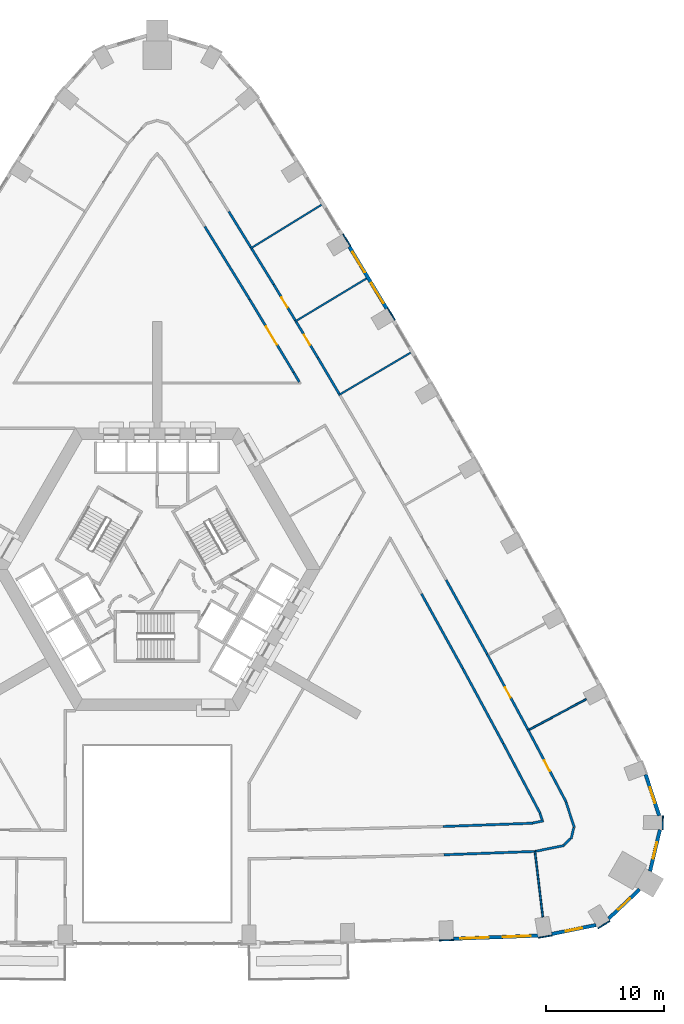
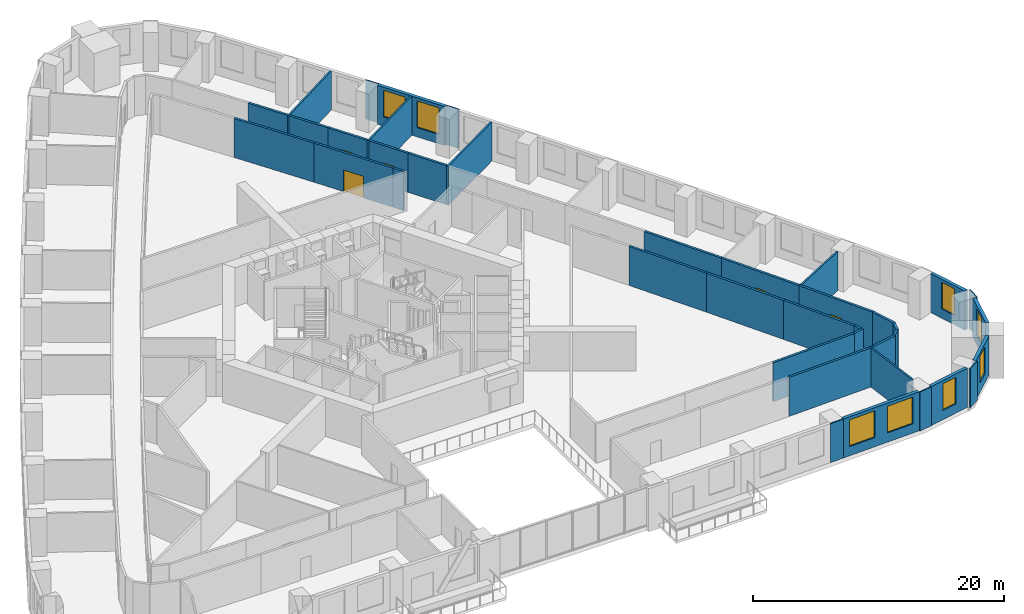
# One storey, part 10 of 14: 39 walls, 8 windows, 5 doors, 13 openings.
"""IFC4 building model written with IfcOpenShell, lengths in metres."""

from ifc_helpers import new_model, si_unit, direction, frame, frame_2d, origin, place, context, subcontext, project, spatial, rectangle, extrude, material, layer, layer_set, type_object, element, fill, save


model = new_model("IFC4")

# Units and contexts
model_context = context("Model", 3, precision=1e-05, world=origin(), true_north=direction((0.0, 1.0)))
body_context = subcontext(model_context, "Body", "Model", "MODEL_VIEW")
ifc_project = project(units=[si_unit("LENGTHUNIT", "METRE"), si_unit("AREAUNIT", "SQUARE_METRE"), si_unit("VOLUMEUNIT", "CUBIC_METRE"), si_unit("PLANEANGLEUNIT", "RADIAN"), si_unit("MASSUNIT", "GRAM", prefix="KILO")], contexts=[model_context])

# Site, building, storey
site_placement = place(None, origin())
site = spatial("IfcSite", under=ifc_project, at=site_placement, CompositionType="ELEMENT")
building_placement = place(site_placement, origin())
building = spatial("IfcBuilding", under=site, at=building_placement, Name="Entoto Arch Interchange Tower", CompositionType="ELEMENT")
storey_placement = place(building_placement, frame((0.0, 0.0, 64.39990234375)))
storey = spatial("IfcBuildingStorey", under=building, at=storey_placement, Name="L13", CompositionType="ELEMENT", Elevation=64.39990234375)

# Walls
ifc_material_1 = material(Name="Gypsum board partition on steel studs", Category="steel")
ifc_layer_1 = layer(ifc_material_1, 0.14990234375)
ifc_layer_set_1 = layer_set([ifc_layer_1], Name="Gypsum board partition on steel studs")
wall_type_1 = type_object("IfcWallType", Name="PARTITION 150", PredefinedType="PARTITIONING", material=ifc_layer_set_1)
wall_1_placement = place(storey_placement, frame((32.041015625, -21.431884765625, 0.0), z_axis=(0.0, 0.0, 1.0), x_axis=(0.118848018273, -0.992912457648, 0.0)))
element("IfcWall", 1, at=wall_1_placement, inside=storey, type_object=wall_type_1, Name="wall:L13:p134", PredefinedType="PARTITIONING", context=body_context, shape_type="SweptSolid", body=[
    extrude(rectangle(XDim=5.60400390625, YDim=0.14990234375, at=frame_2d((2.802001953125, 0.0))), origin(), (0.0, 0.0, 1.0), 3.800048828125),
])
wall_2_placement = place(storey_placement, frame((31.56103515625, -11.10302734375, 0.0), z_axis=(0.0, 0.0, 1.0), x_axis=(0.882056805494, 0.47114306944, 0.0)))
element("IfcWall", 2, at=wall_2_placement, inside=storey, type_object=wall_type_1, Name="wall:L13:p135", PredefinedType="PARTITIONING", context=body_context, shape_type="SweptSolid", body=[
    extrude(rectangle(XDim=5.48046875, YDim=0.14990234375, at=frame_2d((2.740234375, 0.0))), origin(), (0.0, 0.0, 1.0), 3.800048828125),
])
wall_3_placement = place(storey_placement, frame((15.387939453125, 17.260986328125, 0.0), z_axis=(0.0, 0.0, 1.0), x_axis=(0.861189945173, 0.50828326584, 0.0)))
element("IfcWall", 3, at=wall_3_placement, inside=storey, type_object=wall_type_1, Name="wall:L13:p138", PredefinedType="PARTITIONING", context=body_context, shape_type="SweptSolid", body=[
    extrude(rectangle(XDim=7.1005859375, YDim=0.14990234375, at=frame_2d((3.55029296875, 0.0))), origin(), (0.0, 0.0, 1.0), 3.800048828125),
])
wall_4_placement = place(storey_placement, frame((11.672119140625, 23.492919921875, 0.0), z_axis=(0.0, 0.0, 1.0), x_axis=(0.856462653555, 0.516208991656, 0.0)))
element("IfcWall", 4, at=wall_4_placement, inside=storey, type_object=wall_type_1, Name="wall:L13:p139", PredefinedType="PARTITIONING", context=body_context, shape_type="SweptSolid", body=[
    extrude(rectangle(XDim=7.099853515625, YDim=0.14990234375, at=frame_2d((3.5498046875, 0.0))), origin(), (0.0, 0.0, 1.0), 3.800048828125),
])
wall_5_placement = place(storey_placement, frame((7.89697265625, 29.68994140625, 0.0), z_axis=(0.0, 0.0, 1.0), x_axis=(0.851604009471, 0.524185664677, 0.0)))
element("IfcWall", 5, at=wall_5_placement, inside=storey, type_object=wall_type_1, Name="wall:L13:p140", PredefinedType="PARTITIONING", context=body_context, shape_type="SweptSolid", body=[
    extrude(rectangle(XDim=7.100830078125, YDim=0.14990234375, at=frame_2d((3.55029296875, 0.0))), origin(), (0.0, 0.0, 1.0), 3.800048828125),
])
ifc_layer_2 = layer(ifc_material_1, 0.199951171875)
ifc_layer_set_2 = layer_set([ifc_layer_2], Name="Gypsum board partition on steel studs")
wall_type_2 = type_object("IfcWallType", Name="PARTITION 200", PredefinedType="PARTITIONING", material=ifc_layer_set_2)
wall_6_placement = place(storey_placement, frame((12.053955078125, 18.385986328125, 0.0), z_axis=(0.0, 0.0, 1.0), x_axis=(-0.508048285953, 0.861328589529, 0.0)))
element("IfcWall", 6, at=wall_6_placement, inside=storey, type_object=wall_type_2, Name="wall:L13:p008", PredefinedType="PARTITIONING", context=body_context, shape_type="SweptSolid", body=[
    extrude(rectangle(XDim=0.954345703125, YDim=0.199951171875, at=frame_2d((0.47705078125, 0.0))), origin(), (0.0, 0.0, 1.0), 3.800048828125),
])

# Wall, opening, door
wall_7_placement = place(storey_placement, frame((11.569091796875, 19.2080078125, 0.0), z_axis=(0.0, 0.0, 1.0), x_axis=(-0.516172233954, 0.85648480716, 0.0)))
wall_7 = element("IfcWall", 7, at=wall_7_placement, inside=storey, type_object=wall_type_2, Name="wall:L13:p009", PredefinedType="PARTITIONING", context=body_context, shape_type="SweptSolid", body=[
    extrude(rectangle(XDim=7.234375, YDim=0.199951171875, at=frame_2d((3.6171875, 0.0))), origin(), (0.0, 0.0, 1.0), 3.800048828125),
])
opening_1_placement = place(wall_7_placement, frame((2.717041015625, 0.0, 0.0)))
opening_1 = element("IfcOpeningElement", 8, at=opening_1_placement, cuts=wall_7, Name="Opening L13-D20", PredefinedType="OPENING", context=body_context, shape_type="SweptSolid", body=[
    extrude(rectangle(XDim=1.800048828125, YDim=2.10009765625, at=frame_2d((0.89990234375, 1.050048828125))), frame((0.0, 0.10986328125, 0.0), z_axis=(0.0, -1.0, 0.0), x_axis=(1.0, 0.0, 0.0)), (0.0, 0.0, 1.0), 0.219970703125),
])
ifc_material_2 = material(Name="Timber door leaf in Steel S235 frame", Category="steel")
door_type_1 = type_object("IfcDoorType", Name="DOOR DD-18 1800x2100", OperationType="DOUBLE_DOOR_SINGLE_SWING", PredefinedType="DOOR", material=ifc_material_2)
door_1_placement = place(opening_1_placement, origin())
door_1 = element("IfcDoor", 9, at=door_1_placement, inside=storey, type_object=door_type_1, Name="door:L13:20", OperationType="DOUBLE_DOOR_SINGLE_SWING", OverallHeight=2.10009765625, OverallWidth=1.800048828125, PredefinedType="DOOR", context=body_context, shape_type="SweptSolid", body=[
    extrude(rectangle(XDim=1.800048828125, YDim=2.10009765625, at=frame_2d((0.89990234375, 1.050048828125))), frame((0.0, 0.02490234375, 0.0), z_axis=(0.0, -1.0, 0.0), x_axis=(1.0, 0.0, 0.0)), (0.0, 0.0, 1.0), 0.050048828125),
])
fill(opening_1, door_1)

# Walls
wall_8_placement = place(storey_placement, frame((7.8349609375, 25.404052734375, 0.0), z_axis=(0.0, 0.0, 1.0), x_axis=(-0.524225471951, 0.851579505717, 0.0)))
element("IfcWall", 10, at=wall_8_placement, inside=storey, type_object=wall_type_2, Name="wall:L13:p010", PredefinedType="PARTITIONING", context=body_context, shape_type="SweptSolid", body=[
    extrude(rectangle(XDim=7.2333984375, YDim=0.199951171875, at=frame_2d((3.61669921875, 0.0))), origin(), (0.0, 0.0, 1.0), 3.800048828125),
])
wall_9_placement = place(storey_placement, frame((24.235107421875, -19.318115234375, 0.0), z_axis=(0.0, 0.0, 1.0), x_axis=(0.999320698485, 0.036852972476, 0.0)))
element("IfcWall", 11, at=wall_9_placement, inside=storey, type_object=wall_type_2, Name="wall:L13:p020", PredefinedType="PARTITIONING", context=body_context, shape_type="SweptSolid", body=[
    extrude(rectangle(XDim=7.625, YDim=0.199951171875, at=frame_2d((3.8125, 0.0))), origin(), (0.0, 0.0, 1.0), 3.800048828125),
])
wall_10_placement = place(storey_placement, frame((31.85302734375, -19.02099609375, 0.0), z_axis=(0.0, 0.0, 1.0), x_axis=(0.979793671436, 0.200010903236, 0.0)))
element("IfcWall", 12, at=wall_10_placement, inside=storey, type_object=wall_type_2, Name="wall:L13:p021", PredefinedType="PARTITIONING", context=body_context, shape_type="SweptSolid", body=[
    extrude(rectangle(XDim=0.93994140625, YDim=0.199951171875, at=frame_2d((0.469970703125, 0.0))), origin(), (0.0, 0.0, 1.0), 3.800048828125),
])
wall_11_placement = place(storey_placement, frame((32.64501953125, -18.758056640625, 0.0), z_axis=(0.0, 0.0, 1.0), x_axis=(-0.311683867653, 0.950185859001, 0.0)))
element("IfcWall", 13, at=wall_11_placement, inside=storey, type_object=wall_type_2, Name="wall:L13:p022", PredefinedType="PARTITIONING", context=body_context, shape_type="SweptSolid", body=[
    extrude(rectangle(XDim=0.596923828125, YDim=0.199951171875, at=frame_2d((0.29833984375, 0.0))), origin(), (0.0, 0.0, 1.0), 3.800048828125),
])
wall_12_placement = place(storey_placement, frame((32.47509765625, -18.18505859375, 0.0), z_axis=(0.0, 0.0, 1.0), x_axis=(-0.467123190417, 0.884192244353, 0.0)))
element("IfcWall", 14, at=wall_12_placement, inside=storey, type_object=wall_type_2, Name="wall:L13:p023", PredefinedType="PARTITIONING", context=body_context, shape_type="SweptSolid", body=[
    extrude(rectangle(XDim=6.67724609375, YDim=0.199951171875, at=frame_2d((3.338623046875, 0.0))), origin(), (0.0, 0.0, 1.0), 3.800048828125),
])
wall_13_placement = place(storey_placement, frame((29.35595703125, -12.281005859375, 0.0), z_axis=(0.0, 0.0, 1.0), x_axis=(-0.475244544503, 0.87985375087, 0.0)))
element("IfcWall", 15, at=wall_13_placement, inside=storey, type_object=wall_type_2, Name="wall:L13:p024", PredefinedType="PARTITIONING", context=body_context, shape_type="SweptSolid", body=[
    extrude(rectangle(XDim=7.234130859375, YDim=0.199951171875, at=frame_2d((3.6171875, 0.0))), origin(), (0.0, 0.0, 1.0), 3.800048828125),
])
wall_14_placement = place(storey_placement, frame((25.91796875, -5.916015625, 0.0), z_axis=(0.0, 0.0, 1.0), x_axis=(-0.483612623402, 0.875282143361, 0.0)))
element("IfcWall", 16, at=wall_14_placement, inside=storey, type_object=wall_type_2, Name="wall:L13:p025", PredefinedType="PARTITIONING", context=body_context, shape_type="SweptSolid", body=[
    extrude(rectangle(XDim=7.233154296875, YDim=0.199951171875, at=frame_2d((3.61669921875, 0.0))), origin(), (0.0, 0.0, 1.0), 3.800048828125),
])
wall_15_placement = place(storey_placement, frame((32.14111328125, -21.427978515625, 0.0), z_axis=(0.0, 0.0, 1.0), x_axis=(-0.999324021202, -0.036762761723, 0.0)))
element("IfcWall", 17, at=wall_15_placement, inside=storey, type_object=wall_type_2, Name="wall:L13:p043", PredefinedType="PARTITIONING", context=body_context, shape_type="SweptSolid", body=[
    extrude(rectangle(XDim=7.83642578125, YDim=0.199951171875, at=frame_2d((3.918212890625, 0.0))), origin(), (0.0, 0.0, 1.0), 3.800048828125),
])

# Wall, opening, door
wall_16_placement = place(storey_placement, frame((31.43798828125, -11.0830078125, 0.0), z_axis=(0.0, 0.0, 1.0), x_axis=(0.467077609314, -0.884216323575, 0.0)))
wall_16 = element("IfcWall", 18, at=wall_16_placement, inside=storey, type_object=wall_type_2, Name="wall:L13:p046", PredefinedType="PARTITIONING", context=body_context, shape_type="SweptSolid", body=[
    extrude(rectangle(XDim=6.966552734375, YDim=0.199951171875, at=frame_2d((3.4833984375, 0.0))), origin(), (0.0, 0.0, 1.0), 3.800048828125),
])
opening_2_placement = place(wall_16_placement, frame((2.98291015625, 0.0, 0.0)))
opening_2 = element("IfcOpeningElement", 19, at=opening_2_placement, cuts=wall_16, Name="Opening L13-D02", PredefinedType="OPENING", context=body_context, shape_type="SweptSolid", body=[
    extrude(rectangle(XDim=1.0, YDim=2.10009765625, at=frame_2d((0.5, 1.050048828125))), frame((0.0, 0.10986328125, 0.0), z_axis=(0.0, -1.0, 0.0), x_axis=(1.0, 0.0, 0.0)), (0.0, 0.0, 1.0), 0.219970703125),
])
door_type_2 = type_object("IfcDoorType", Name="DOOR DS-10 1000x2100", OperationType="SINGLE_SWING_LEFT", PredefinedType="DOOR", material=ifc_material_2)
door_2_placement = place(opening_2_placement, origin())
door_2 = element("IfcDoor", 20, at=door_2_placement, inside=storey, type_object=door_type_2, Name="door:L13:02", OperationType="SINGLE_SWING_LEFT", OverallHeight=2.10009765625, OverallWidth=1.0, PredefinedType="DOOR", context=body_context, shape_type="SweptSolid", body=[
    extrude(rectangle(XDim=1.0, YDim=2.10009765625, at=frame_2d((0.5, 1.050048828125))), frame((0.0, 0.02490234375, 0.0), z_axis=(0.0, -1.0, 0.0), x_axis=(1.0, 0.0, 0.0)), (0.0, 0.0, 1.0), 0.050048828125),
])
fill(opening_2, door_2)

# Walls
wall_17_placement = place(storey_placement, frame((34.676025390625, -17.25, 0.0), z_axis=(0.0, 0.0, 1.0), x_axis=(0.311855014756, -0.950129701552, 0.0)))
element("IfcWall", 21, at=wall_17_placement, inside=storey, type_object=wall_type_2, Name="wall:L13:p047", PredefinedType="PARTITIONING", context=body_context, shape_type="SweptSolid", body=[
    extrude(rectangle(XDim=2.27978515625, YDim=0.199951171875, at=frame_2d((1.139892578125, 0.0))), origin(), (0.0, 0.0, 1.0), 3.800048828125),
])
wall_18_placement = place(storey_placement, frame((35.3330078125, -19.4189453125, 0.0), z_axis=(0.0, 0.0, 1.0), x_axis=(-0.231107564644, -0.97292820576, 0.0)))
element("IfcWall", 22, at=wall_18_placement, inside=storey, type_object=wall_type_2, Name="wall:L13:p048", PredefinedType="PARTITIONING", context=body_context, shape_type="SweptSolid", body=[
    extrude(rectangle(XDim=0.986572265625, YDim=0.199951171875, at=frame_2d((0.4931640625, 0.0))), origin(), (0.0, 0.0, 1.0), 3.800048828125),
])
wall_19_placement = place(storey_placement, frame((35.055908203125, -20.35009765625, 0.0), z_axis=(0.0, 0.0, 1.0), x_axis=(-0.72702197617, -0.686614190186, 0.0)))
element("IfcWall", 23, at=wall_19_placement, inside=storey, type_object=wall_type_2, Name="wall:L13:p049", PredefinedType="PARTITIONING", context=body_context, shape_type="SweptSolid", body=[
    extrude(rectangle(XDim=0.767333984375, YDim=0.199951171875, at=frame_2d((0.3837890625, 0.0))), origin(), (0.0, 0.0, 1.0), 3.800048828125),
])
wall_20_placement = place(storey_placement, frame((34.52294921875, -20.926025390625, 0.0), z_axis=(0.0, 0.0, 1.0), x_axis=(-0.979840552367, -0.199781110063, 0.0)))
element("IfcWall", 24, at=wall_20_placement, inside=storey, type_object=wall_type_2, Name="wall:L13:p050", PredefinedType="PARTITIONING", context=body_context, shape_type="SweptSolid", body=[
    extrude(rectangle(XDim=2.43310546875, YDim=0.199951171875, at=frame_2d((1.216552734375, 0.0))), origin(), (0.0, 0.0, 1.0), 3.800048828125),
])

# Wall, opening, door
wall_21_placement = place(storey_placement, frame((27.988037109375, -4.698974609375, 0.0), z_axis=(0.0, 0.0, 1.0), x_axis=(0.475319272717, -0.879813383044, 0.0)))
wall_21 = element("IfcWall", 25, at=wall_21_placement, inside=storey, type_object=wall_type_2, Name="wall:L13:p051", PredefinedType="PARTITIONING", context=body_context, shape_type="SweptSolid", body=[
    extrude(rectangle(XDim=7.256103515625, YDim=0.199951171875, at=frame_2d((3.6279296875, 0.0))), origin(), (0.0, 0.0, 1.0), 3.800048828125),
])
opening_3_placement = place(wall_21_placement, frame((3.202880859375, 0.0, 0.0)))
opening_3 = element("IfcOpeningElement", 26, at=opening_3_placement, cuts=wall_21, Name="Opening L13-D03", PredefinedType="OPENING", context=body_context, shape_type="SweptSolid", body=[
    extrude(rectangle(XDim=1.0, YDim=2.10009765625, at=frame_2d((0.5, 1.050048828125))), frame((0.0, 0.10986328125, 0.0), z_axis=(0.0, -1.0, 0.0), x_axis=(1.0, 0.0, 0.0)), (0.0, 0.0, 1.0), 0.219970703125),
])
door_3_placement = place(opening_3_placement, origin())
door_3 = element("IfcDoor", 27, at=door_3_placement, inside=storey, type_object=door_type_2, Name="door:L13:03", OperationType="SINGLE_SWING_RIGHT", OverallHeight=2.10009765625, OverallWidth=1.0, PredefinedType="DOOR", context=body_context, shape_type="SweptSolid", body=[
    extrude(rectangle(XDim=1.0, YDim=2.10009765625, at=frame_2d((0.5, 1.050048828125))), frame((0.0, 0.02490234375, 0.0), z_axis=(0.0, -1.0, 0.0), x_axis=(1.0, 0.0, 0.0)), (0.0, 0.0, 1.0), 0.050048828125),
])
fill(opening_3, door_3)

# Wall
wall_22_placement = place(storey_placement, frame((24.514892578125, 1.5849609375, 0.0), z_axis=(0.0, 0.0, 1.0), x_axis=(0.483629211989, -0.875272977597, 0.0)))
element("IfcWall", 28, at=wall_22_placement, inside=storey, type_object=wall_type_2, Name="wall:L13:p053", PredefinedType="PARTITIONING", context=body_context, shape_type="SweptSolid", body=[
    extrude(rectangle(XDim=7.179443359375, YDim=0.199951171875, at=frame_2d((3.58984375, 0.0))), origin(), (0.0, 0.0, 1.0), 3.800048828125),
])

# Wall, opening, door
wall_23_placement = place(storey_placement, frame((11.7958984375, 23.48095703125, 0.0), z_axis=(0.0, 0.0, 1.0), x_axis=(0.516070934647, -0.8565458484, 0.0)))
wall_23 = element("IfcWall", 29, at=wall_23_placement, inside=storey, type_object=wall_type_2, Name="wall:L13:p056", PredefinedType="PARTITIONING", context=body_context, shape_type="SweptSolid", body=[
    extrude(rectangle(XDim=3.5537109375, YDim=0.199951171875, at=frame_2d((1.77685546875, 0.0))), origin(), (0.0, 0.0, 1.0), 3.800048828125),
])
opening_4_placement = place(wall_23_placement, frame((1.277099609375, 0.0, 0.0)))
opening_4 = element("IfcOpeningElement", 30, at=opening_4_placement, cuts=wall_23, Name="Opening L13-D06", PredefinedType="OPENING", context=body_context, shape_type="SweptSolid", body=[
    extrude(rectangle(XDim=1.0, YDim=2.10009765625, at=frame_2d((0.5, 1.050048828125))), frame((0.0, 0.10986328125, 0.0), z_axis=(0.0, -1.0, 0.0), x_axis=(1.0, 0.0, 0.0)), (0.0, 0.0, 1.0), 0.219970703125),
])
door_4_placement = place(opening_4_placement, origin())
door_4 = element("IfcDoor", 31, at=door_4_placement, inside=storey, type_object=door_type_2, Name="door:L13:06", OperationType="SINGLE_SWING_LEFT", OverallHeight=2.10009765625, OverallWidth=1.0, PredefinedType="DOOR", context=body_context, shape_type="SweptSolid", body=[
    extrude(rectangle(XDim=1.0, YDim=2.10009765625, at=frame_2d((0.5, 1.050048828125))), frame((0.0, 0.02490234375, 0.0), z_axis=(0.0, -1.0, 0.0), x_axis=(1.0, 0.0, 0.0)), (0.0, 0.0, 1.0), 0.050048828125),
])
fill(opening_4, door_4)

# Walls
wall_24_placement = place(storey_placement, frame((13.6298828125, 20.43701171875, 0.0), z_axis=(0.0, 0.0, 1.0), x_axis=(0.508298695021, -0.861180838523, 0.0)))
element("IfcWall", 32, at=wall_24_placement, inside=storey, type_object=wall_type_2, Name="wall:L13:p057", PredefinedType="PARTITIONING", context=body_context, shape_type="SweptSolid", body=[
    extrude(rectangle(XDim=3.55322265625, YDim=0.199951171875, at=frame_2d((1.776611328125, 0.0))), origin(), (0.0, 0.0, 1.0), 3.800048828125),
])
wall_25_placement = place(storey_placement, frame((8.02197265625, 29.677978515625, 0.0), z_axis=(0.0, 0.0, 1.0), x_axis=(0.524093591744, -0.851660676029, 0.0)))
element("IfcWall", 33, at=wall_25_placement, inside=storey, type_object=wall_type_2, Name="wall:L13:p058", PredefinedType="PARTITIONING", context=body_context, shape_type="SweptSolid", body=[
    extrude(rectangle(XDim=3.552978515625, YDim=0.199951171875, at=frame_2d((1.7763671875, 0.0))), origin(), (0.0, 0.0, 1.0), 3.800048828125),
])

# Wall, opening, door
wall_26_placement = place(storey_placement, frame((9.884033203125, 26.652099609375, 0.0), z_axis=(0.0, 0.0, 1.0), x_axis=(0.516162051318, -0.856490943781, 0.0)))
wall_26 = element("IfcWall", 34, at=wall_26_placement, inside=storey, type_object=wall_type_2, Name="wall:L13:p059", PredefinedType="PARTITIONING", context=body_context, shape_type="SweptSolid", body=[
    extrude(rectangle(XDim=3.55322265625, YDim=0.199951171875, at=frame_2d((1.776611328125, 0.0))), origin(), (0.0, 0.0, 1.0), 3.800048828125),
])
opening_5_placement = place(wall_26_placement, frame((1.277099609375, 0.0, 0.0)))
opening_5 = element("IfcOpeningElement", 35, at=opening_5_placement, cuts=wall_26, Name="Opening L13-D07", PredefinedType="OPENING", context=body_context, shape_type="SweptSolid", body=[
    extrude(rectangle(XDim=1.0, YDim=2.10009765625, at=frame_2d((0.5, 1.050048828125))), frame((0.0, 0.10986328125, 0.0), z_axis=(0.0, -1.0, 0.0), x_axis=(1.0, 0.0, 0.0)), (0.0, 0.0, 1.0), 0.219970703125),
])
door_5_placement = place(opening_5_placement, origin())
door_5 = element("IfcDoor", 36, at=door_5_placement, inside=storey, type_object=door_type_2, Name="door:L13:07", OperationType="SINGLE_SWING_LEFT", OverallHeight=2.10009765625, OverallWidth=1.0, PredefinedType="DOOR", context=body_context, shape_type="SweptSolid", body=[
    extrude(rectangle(XDim=1.0, YDim=2.10009765625, at=frame_2d((0.5, 1.050048828125))), frame((0.0, 0.02490234375, 0.0), z_axis=(0.0, -1.0, 0.0), x_axis=(1.0, 0.0, 0.0)), (0.0, 0.0, 1.0), 0.050048828125),
])
fill(opening_5, door_5)

# Wall
wall_27_placement = place(storey_placement, frame((6.0810546875, 32.83203125, 0.0), z_axis=(0.0, 0.0, 1.0), x_axis=(0.524062922014, -0.851679548756, 0.0)))
element("IfcWall", 37, at=wall_27_placement, inside=storey, type_object=wall_type_2, Name="wall:L13:p061", PredefinedType="PARTITIONING", context=body_context, shape_type="SweptSolid", body=[
    extrude(rectangle(XDim=3.55322265625, YDim=0.199951171875, at=frame_2d((1.776611328125, 0.0))), origin(), (0.0, 0.0, 1.0), 3.800048828125),
])

# Wall, openings, windows
ifc_material_3 = material(Name="Welded tuff (ignimbrite) cladding, warm buff", Category="masonry")
ifc_layer_3 = layer(ifc_material_3, 0.300048828125)
ifc_layer_set_3 = layer_set([ifc_layer_3], Name="Welded tuff (ignimbrite) cladding, warm buff")
wall_type_3 = type_object("IfcWallType", Name="STONE INFILL WALL 300", PredefinedType="STANDARD", material=ifc_layer_set_3)
wall_28_placement = place(storey_placement, frame((25.134033203125, -28.841064453125, 0.0), z_axis=(0.0, 0.0, 1.0), x_axis=(0.999322852286, 0.036794522671, 0.0)))
wall_28 = element("IfcWall", 38, at=wall_28_placement, inside=storey, type_object=wall_type_3, Name="Facade wall S-07 L13", PredefinedType="STANDARD", context=body_context, shape_type="SweptSolid", body=[
    extrude(rectangle(XDim=7.15283203125, YDim=0.300048828125, at=frame_2d((3.576416015625, 0.0))), origin(), (0.0, 0.0, 1.0), 3.800048828125),
])
opening_6_placement = place(wall_28_placement, frame((0.587890625, 0.0, 0.89990234375)))
opening_6 = element("IfcOpeningElement", 39, at=opening_6_placement, cuts=wall_28, Name="Opening WO-A", PredefinedType="OPENING", context=body_context, shape_type="SweptSolid", body=[
    extrude(rectangle(XDim=2.39990234375, YDim=2.60009765625, at=frame_2d((1.199951171875, 1.300048828125))), frame((0.0, 0.16015625, 0.0), z_axis=(0.0, -1.0, 0.0), x_axis=(1.0, 0.0, 0.0)), (0.0, 0.0, 1.0), 0.320068359375),
])
opening_7_placement = place(wall_28_placement, frame((4.1650390625, 0.0, 0.89990234375)))
opening_7 = element("IfcOpeningElement", 40, at=opening_7_placement, cuts=wall_28, Name="Opening WO-A", PredefinedType="OPENING", context=body_context, shape_type="SweptSolid", body=[
    extrude(rectangle(XDim=2.39990234375, YDim=2.60009765625, at=frame_2d((1.199951171875, 1.300048828125))), frame((0.0, 0.16015625, 0.0), z_axis=(0.0, -1.0, 0.0), x_axis=(1.0, 0.0, 0.0)), (0.0, 0.0, 1.0), 0.320068359375),
])
ifc_material_4 = material(Name="Clear glass, low-e double glazed", Category="glass")
window_type_1 = type_object("IfcWindowType", Name="WINDOW WO-A 2400x2600", PartitioningType="DOUBLE_PANEL_VERTICAL", PredefinedType="WINDOW", material=ifc_material_4)
window_1_placement = place(opening_6_placement, origin())
window_1 = element("IfcWindow", 41, at=window_1_placement, inside=storey, type_object=window_type_1, Name="Window WO-A S-07 L13", OverallHeight=2.60009765625, OverallWidth=2.39990234375, PartitioningType="SINGLE_PANEL", PredefinedType="WINDOW", context=body_context, shape_type="SweptSolid", body=[
    extrude(rectangle(XDim=2.39990234375, YDim=2.60009765625, at=frame_2d((1.199951171875, 1.300048828125))), frame((0.0, 0.030029296875, 0.0), z_axis=(0.0, -1.0, 0.0), x_axis=(1.0, 0.0, 0.0)), (0.0, 0.0, 1.0), 0.06005859375),
])
fill(opening_6, window_1)
window_2_placement = place(opening_7_placement, origin())
window_2 = element("IfcWindow", 42, at=window_2_placement, inside=storey, type_object=window_type_1, Name="Window WO-A S-07 L13", OverallHeight=2.60009765625, OverallWidth=2.39990234375, PartitioningType="SINGLE_PANEL", PredefinedType="WINDOW", context=body_context, shape_type="SweptSolid", body=[
    extrude(rectangle(XDim=2.39990234375, YDim=2.60009765625, at=frame_2d((1.199951171875, 1.300048828125))), frame((0.0, 0.030029296875, 0.0), z_axis=(0.0, -1.0, 0.0), x_axis=(1.0, 0.0, 0.0)), (0.0, 0.0, 1.0), 0.06005859375),
])
fill(opening_7, window_2)

# Wall, opening, window
wall_29_placement = place(storey_placement, frame((33.472900390625, -28.43701171875, 0.0), z_axis=(0.0, 0.0, 1.0), x_axis=(0.979824229846, 0.199861148317, 0.0)))
wall_29 = element("IfcWall", 43, at=wall_29_placement, inside=storey, type_object=wall_type_3, Name="Facade wall SE-01 L13", PredefinedType="STANDARD", context=body_context, shape_type="SweptSolid", body=[
    extrude(rectangle(XDim=3.822265625, YDim=0.300048828125, at=frame_2d((1.9111328125, 0.0))), origin(), (0.0, 0.0, 1.0), 3.800048828125),
])
opening_8_placement = place(wall_29_placement, frame((1.2109375, 0.0, 0.89990234375)))
opening_8 = element("IfcOpeningElement", 44, at=opening_8_placement, cuts=wall_29, Name="Opening WO-B", PredefinedType="OPENING", context=body_context, shape_type="SweptSolid", body=[
    extrude(rectangle(XDim=1.39990234375, YDim=2.60009765625, at=frame_2d((0.699951171875, 1.300048828125))), frame((0.0, 0.16015625, 0.0), z_axis=(0.0, -1.0, 0.0), x_axis=(1.0, 0.0, 0.0)), (0.0, 0.0, 1.0), 0.320068359375),
])
window_type_2 = type_object("IfcWindowType", Name="WINDOW WO-B 1400x2600", PartitioningType="DOUBLE_PANEL_VERTICAL", PredefinedType="WINDOW", material=ifc_material_4)
window_3_placement = place(opening_8_placement, origin())
window_3 = element("IfcWindow", 45, at=window_3_placement, inside=storey, type_object=window_type_2, Name="Window WO-B SE-01 L13", OverallHeight=2.60009765625, OverallWidth=1.39990234375, PartitioningType="SINGLE_PANEL", PredefinedType="WINDOW", context=body_context, shape_type="SweptSolid", body=[
    extrude(rectangle(XDim=1.39990234375, YDim=2.60009765625, at=frame_2d((0.699951171875, 1.300048828125))), frame((0.0, 0.030029296875, 0.0), z_axis=(0.0, -1.0, 0.0), x_axis=(1.0, 0.0, 0.0)), (0.0, 0.0, 1.0), 0.06005859375),
])
fill(opening_8, window_3)

wall_30_placement = place(storey_placement, frame((38.2900390625, -27.1298828125, 0.0), z_axis=(0.0, 0.0, 1.0), x_axis=(0.727082698591, 0.686549888508, 0.0)))
wall_30 = element("IfcWall", 46, at=wall_30_placement, inside=storey, type_object=wall_type_3, Name="Facade wall SE-02 L13", PredefinedType="STANDARD", context=body_context, shape_type="SweptSolid", body=[
    extrude(rectangle(XDim=3.601806640625, YDim=0.300048828125, at=frame_2d((1.80078125, 0.0))), origin(), (0.0, 0.0, 1.0), 3.800048828125),
])
opening_9_placement = place(wall_30_placement, frame((1.10107421875, 0.0, 0.89990234375)))
opening_9 = element("IfcOpeningElement", 47, at=opening_9_placement, cuts=wall_30, Name="Opening WO-B", PredefinedType="OPENING", context=body_context, shape_type="SweptSolid", body=[
    extrude(rectangle(XDim=1.39990234375, YDim=2.60009765625, at=frame_2d((0.699951171875, 1.300048828125))), frame((0.0, 0.16015625, 0.0), z_axis=(0.0, -1.0, 0.0), x_axis=(1.0, 0.0, 0.0)), (0.0, 0.0, 1.0), 0.320068359375),
])
window_4_placement = place(opening_9_placement, origin())
window_4 = element("IfcWindow", 48, at=window_4_placement, inside=storey, type_object=window_type_2, Name="Window WO-B SE-02 L13", OverallHeight=2.60009765625, OverallWidth=1.39990234375, PartitioningType="SINGLE_PANEL", PredefinedType="WINDOW", context=body_context, shape_type="SweptSolid", body=[
    extrude(rectangle(XDim=1.39990234375, YDim=2.60009765625, at=frame_2d((0.699951171875, 1.300048828125))), frame((0.0, 0.030029296875, 0.0), z_axis=(0.0, -1.0, 0.0), x_axis=(1.0, 0.0, 0.0)), (0.0, 0.0, 1.0), 0.06005859375),
])
fill(opening_9, window_4)

wall_31_placement = place(storey_placement, frame((41.80810546875, -23.10009765625, 0.0), z_axis=(0.0, 0.0, 1.0), x_axis=(0.230893603767, 0.972979004778, 0.0)))
wall_31 = element("IfcWall", 49, at=wall_31_placement, inside=storey, type_object=wall_type_3, Name="Facade wall SE-03 L13", PredefinedType="STANDARD", context=body_context, shape_type="SweptSolid", body=[
    extrude(rectangle(XDim=3.6025390625, YDim=0.300048828125, at=frame_2d((1.80126953125, 0.0))), origin(), (0.0, 0.0, 1.0), 3.800048828125),
])
opening_10_placement = place(wall_31_placement, frame((1.10107421875, 0.0, 0.89990234375)))
opening_10 = element("IfcOpeningElement", 50, at=opening_10_placement, cuts=wall_31, Name="Opening WO-B", PredefinedType="OPENING", context=body_context, shape_type="SweptSolid", body=[
    extrude(rectangle(XDim=1.39990234375, YDim=2.60009765625, at=frame_2d((0.699951171875, 1.300048828125))), frame((0.0, 0.16015625, 0.0), z_axis=(0.0, -1.0, 0.0), x_axis=(1.0, 0.0, 0.0)), (0.0, 0.0, 1.0), 0.320068359375),
])
window_5_placement = place(opening_10_placement, origin())
window_5 = element("IfcWindow", 51, at=window_5_placement, inside=storey, type_object=window_type_2, Name="Window WO-B SE-03 L13", OverallHeight=2.60009765625, OverallWidth=1.39990234375, PartitioningType="SINGLE_PANEL", PredefinedType="WINDOW", context=body_context, shape_type="SweptSolid", body=[
    extrude(rectangle(XDim=1.39990234375, YDim=2.60009765625, at=frame_2d((0.699951171875, 1.300048828125))), frame((0.0, 0.030029296875, 0.0), z_axis=(0.0, -1.0, 0.0), x_axis=(1.0, 0.0, 0.0)), (0.0, 0.0, 1.0), 0.06005859375),
])
fill(opening_10, window_5)

wall_32_placement = place(storey_placement, frame((42.577880859375, -18.39501953125, 0.0), z_axis=(0.0, 0.0, 1.0), x_axis=(-0.31208801137, 0.95005319491, 0.0)))
wall_32 = element("IfcWall", 52, at=wall_32_placement, inside=storey, type_object=wall_type_3, Name="Facade wall SE-04 L13", PredefinedType="STANDARD", context=body_context, shape_type="SweptSolid", body=[
    extrude(rectangle(XDim=3.6650390625, YDim=0.300048828125, at=frame_2d((1.83251953125, 0.0))), origin(), (0.0, 0.0, 1.0), 3.800048828125),
])
opening_11_placement = place(wall_32_placement, frame((1.133056640625, 0.0, 0.89990234375)))
opening_11 = element("IfcOpeningElement", 53, at=opening_11_placement, cuts=wall_32, Name="Opening WO-B", PredefinedType="OPENING", context=body_context, shape_type="SweptSolid", body=[
    extrude(rectangle(XDim=1.39990234375, YDim=2.60009765625, at=frame_2d((0.699951171875, 1.300048828125))), frame((0.0, 0.16015625, 0.0), z_axis=(0.0, -1.0, 0.0), x_axis=(1.0, 0.0, 0.0)), (0.0, 0.0, 1.0), 0.320068359375),
])
window_6_placement = place(opening_11_placement, origin())
window_6 = element("IfcWindow", 54, at=window_6_placement, inside=storey, type_object=window_type_2, Name="Window WO-B SE-04 L13", OverallHeight=2.60009765625, OverallWidth=1.39990234375, PartitioningType="SINGLE_PANEL", PredefinedType="WINDOW", context=body_context, shape_type="SweptSolid", body=[
    extrude(rectangle(XDim=1.39990234375, YDim=2.60009765625, at=frame_2d((0.699951171875, 1.300048828125))), frame((0.0, 0.030029296875, 0.0), z_axis=(0.0, -1.0, 0.0), x_axis=(1.0, 0.0, 0.0)), (0.0, 0.0, 1.0), 0.06005859375),
])
fill(opening_11, window_6)

# Wall, openings, windows
wall_33_placement = place(storey_placement, frame((19.4619140625, 24.612060546875, 0.0), z_axis=(0.0, 0.0, 1.0), x_axis=(-0.516147563478, 0.856499674674, 0.0)))
wall_33 = element("IfcWall", 55, at=wall_33_placement, inside=storey, type_object=wall_type_3, Name="Facade wall NE-07 L13", PredefinedType="STANDARD", context=body_context, shape_type="SweptSolid", body=[
    extrude(rectangle(XDim=6.1259765625, YDim=0.300048828125, at=frame_2d((3.06298828125, 0.0))), origin(), (0.0, 0.0, 1.0), 3.800048828125),
])
opening_12_placement = place(wall_33_placement, frame((0.531982421875, 0.0, 0.89990234375)))
opening_12 = element("IfcOpeningElement", 56, at=opening_12_placement, cuts=wall_33, Name="Opening WO-C", PredefinedType="OPENING", context=body_context, shape_type="SweptSolid", body=[
    extrude(rectangle(XDim=2.0, YDim=2.60009765625, at=frame_2d((1.0, 1.300048828125))), frame((0.0, 0.16015625, 0.0), z_axis=(0.0, -1.0, 0.0), x_axis=(1.0, 0.0, 0.0)), (0.0, 0.0, 1.0), 0.320068359375),
])
opening_13_placement = place(wall_33_placement, frame((3.594970703125, 0.0, 0.89990234375)))
opening_13 = element("IfcOpeningElement", 57, at=opening_13_placement, cuts=wall_33, Name="Opening WO-C", PredefinedType="OPENING", context=body_context, shape_type="SweptSolid", body=[
    extrude(rectangle(XDim=2.0, YDim=2.60009765625, at=frame_2d((1.0, 1.300048828125))), frame((0.0, 0.16015625, 0.0), z_axis=(0.0, -1.0, 0.0), x_axis=(1.0, 0.0, 0.0)), (0.0, 0.0, 1.0), 0.320068359375),
])
window_type_3 = type_object("IfcWindowType", Name="WINDOW WO-C 2000x2600", PartitioningType="DOUBLE_PANEL_VERTICAL", PredefinedType="WINDOW", material=ifc_material_4)
window_7_placement = place(opening_12_placement, origin())
window_7 = element("IfcWindow", 58, at=window_7_placement, inside=storey, type_object=window_type_3, Name="Window WO-C NE-07 L13", OverallHeight=2.60009765625, OverallWidth=2.0, PartitioningType="SINGLE_PANEL", PredefinedType="WINDOW", context=body_context, shape_type="SweptSolid", body=[
    extrude(rectangle(XDim=2.0, YDim=2.60009765625, at=frame_2d((1.0, 1.300048828125))), frame((0.0, 0.030029296875, 0.0), z_axis=(0.0, -1.0, 0.0), x_axis=(1.0, 0.0, 0.0)), (0.0, 0.0, 1.0), 0.06005859375),
])
fill(opening_12, window_7)
window_8_placement = place(opening_13_placement, origin())
window_8 = element("IfcWindow", 59, at=window_8_placement, inside=storey, type_object=window_type_3, Name="Window WO-C NE-07 L13", OverallHeight=2.60009765625, OverallWidth=2.0, PartitioningType="SINGLE_PANEL", PredefinedType="WINDOW", context=body_context, shape_type="SweptSolid", body=[
    extrude(rectangle(XDim=2.0, YDim=2.60009765625, at=frame_2d((1.0, 1.300048828125))), frame((0.0, 0.030029296875, 0.0), z_axis=(0.0, -1.0, 0.0), x_axis=(1.0, 0.0, 0.0)), (0.0, 0.0, 1.0), 0.06005859375),
])
fill(opening_13, window_8)

# Walls
ifc_layer_4 = layer(ifc_material_3, 0.10009765625)
ifc_layer_set_4 = layer_set([ifc_layer_4], Name="Welded tuff (ignimbrite) cladding, warm buff")
wall_type_4 = type_object("IfcWallType", Name="STONE PIER CLADDING 100", PredefinedType="STANDARD", material=ifc_layer_set_4)
for number, where, z_axis, x_axis, name in (
    (60, (20.1650390625, 23.635009765625, 0.0), (0.0, 0.0, 1.0), (-0.513238760752, 0.858245870635, 0.0), "Stone pier NE07 L13"),
    (61, (16.388916015625, 29.912109375, 0.0), (0.0, 0.0, 1.0), (-0.521598117945, 0.853191305251, 0.0), "Stone pier NE08 L13"),
):
    element("IfcWall", number, at=place(storey_placement, frame(where, z_axis=z_axis, x_axis=x_axis)), inside=storey, type_object=wall_type_4, Name=name, PredefinedType="STANDARD", context=body_context, shape_type="SweptSolid", body=[
        extrude(rectangle(XDim=1.2001953125, YDim=0.10009765625, at=frame_2d((0.60009765625, 0.0))), origin(), (0.0, 0.0, 1.0), 3.800048828125),
    ])
for number, where, z_axis, x_axis, name in (
    (62, (23.93896484375, -28.98291015625, 0.0), (0.0, 0.0, 1.0), (0.999449640202, 0.033172529292, 0.0), "Stone pier S07 L13"),
    (63, (32.31103515625, -28.756103515625, 0.0), (0.0, 0.0, 1.0), (0.98597830993, 0.166873522011, 0.0), "Stone pier S08 L13"),
):
    element("IfcWall", number, at=place(storey_placement, frame(where, z_axis=z_axis, x_axis=x_axis)), inside=storey, type_object=wall_type_4, Name=name, PredefinedType="STANDARD", context=body_context, shape_type="SweptSolid", body=[
        extrude(rectangle(XDim=1.19970703125, YDim=0.10009765625, at=frame_2d((0.599853515625, 0.0))), origin(), (0.0, 0.0, 1.0), 3.800048828125),
    ])
wall_34_placement = place(storey_placement, frame((37.385009765625, -27.950927734375, 0.0), z_axis=(0.0, 0.0, 1.0), x_axis=(0.854716608594, 0.519094903649, 0.0)))
element("IfcWall", 64, at=wall_34_placement, inside=storey, type_object=wall_type_4, Name="Stone pier SE1 L13", PredefinedType="STANDARD", context=body_context, shape_type="SweptSolid", body=[
    extrude(rectangle(XDim=1.2001953125, YDim=0.10009765625, at=frame_2d((0.60009765625, 0.0))), origin(), (0.0, 0.0, 1.0), 3.800048828125),
])
wall_35_placement = place(storey_placement, frame((42.87109375, -19.60107421875, 0.0), z_axis=(0.0, 0.0, 1.0), x_axis=(0.023183352363, 0.999731229968, 0.0)))
element("IfcWall", 65, at=wall_35_placement, inside=storey, type_object=wall_type_4, Name="Stone pier SE3 L13", PredefinedType="STANDARD", context=body_context, shape_type="SweptSolid", body=[
    extrude(rectangle(XDim=1.200439453125, YDim=0.10009765625, at=frame_2d((0.60009765625, 0.0))), origin(), (0.0, 0.0, 1.0), 3.800048828125),
])

save(model, "model.ifc")
